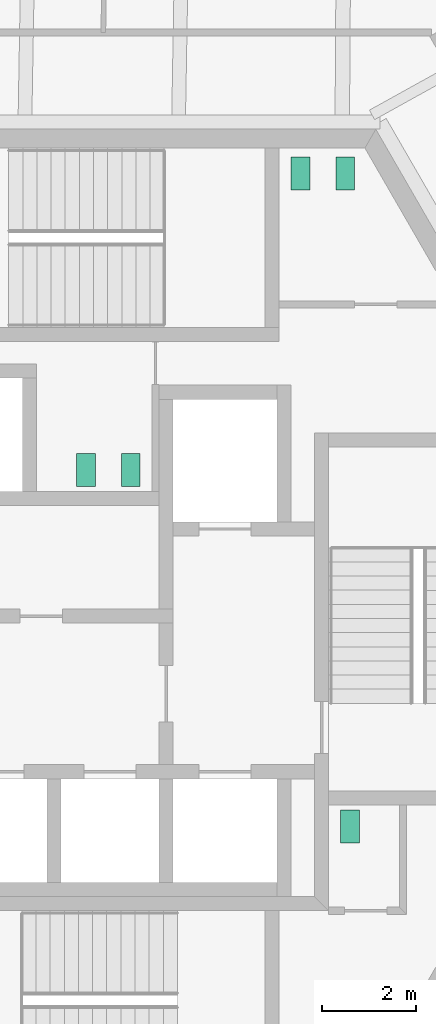
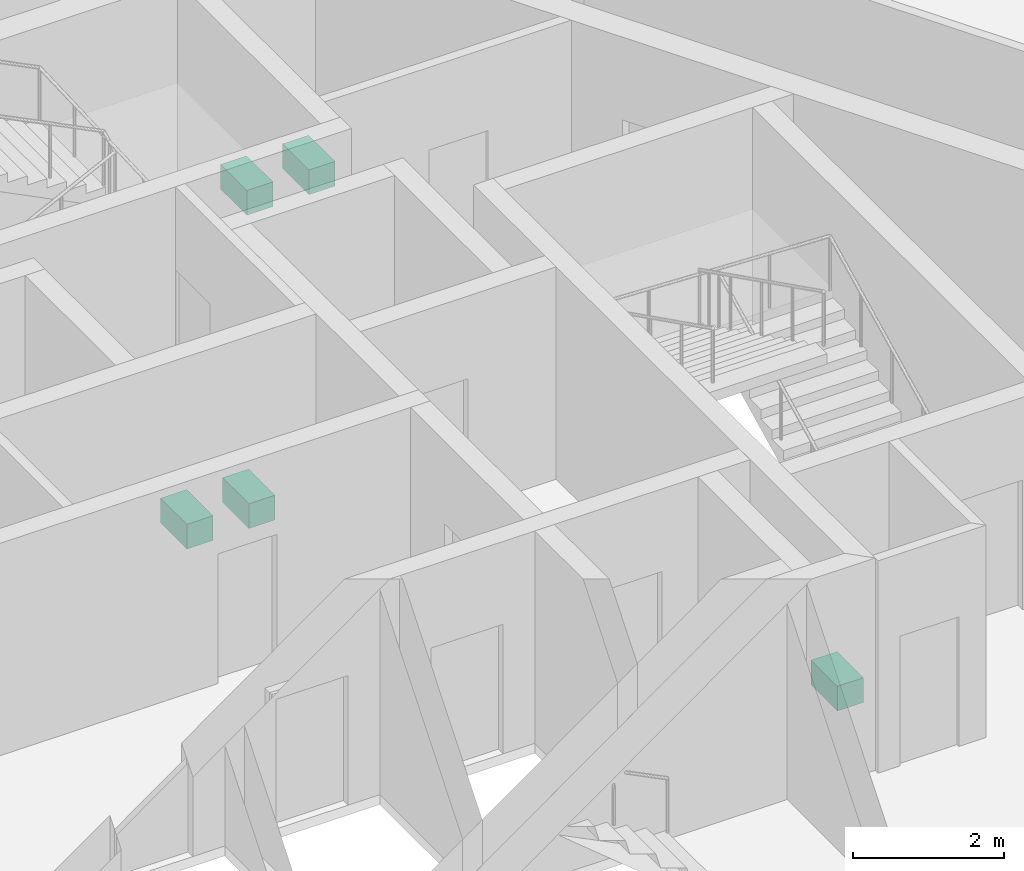
# One storey, part 18 of 20: 5 sanitary terminals.
"""IFC4 building model written with IfcOpenShell, lengths in metres."""

from ifc_helpers import new_model, si_unit, direction, frame, origin, origin_2d, place, context, subcontext, project, spatial, rectangle, extrude, source, transform, mapped, material, element, save


model = new_model("IFC4")

# Units and contexts
model_context = context("Model", 3, precision=1e-05, world=origin(), true_north=direction((0.0, 1.0)))
body_context = subcontext(model_context, "Body", "Model", "MODEL_VIEW")
ifc_project = project(units=[si_unit("LENGTHUNIT", "METRE"), si_unit("AREAUNIT", "SQUARE_METRE"), si_unit("VOLUMEUNIT", "CUBIC_METRE"), si_unit("PLANEANGLEUNIT", "RADIAN"), si_unit("MASSUNIT", "GRAM", prefix="KILO")], contexts=[model_context])

# Site, building, storey
site_placement = place(None, origin())
site = spatial("IfcSite", under=ifc_project, at=site_placement, CompositionType="ELEMENT")
building_placement = place(site_placement, origin())
building = spatial("IfcBuilding", under=site, at=building_placement, Name="Triune Harvest Tower", CompositionType="ELEMENT")
storey_placement = place(building_placement, frame((0.0, 0.0, 194.300048828125)))
storey = spatial("IfcBuildingStorey", under=building, at=storey_placement, Name="L50", CompositionType="ELEMENT", Elevation=194.300048828125)

# Sanitary terminals
ifc_material = material(Name="Vitreous china")
shared_shape = source(origin(), body_context, "Body", "SweptSolid", [
    extrude(rectangle(XDim=0.39990234375, YDim=0.699951171875, at=origin_2d()), origin(), (0.0, 0.0, 1.0), 0.39990234375),
])
for number, where, z_axis, x_axis, name in (
    (1, (4.39990234375, 9.449951171875, 0.0), (0.0, 0.0, 1.0), (1.0, 0.0, 0.0), "Toilet pan L50.c01"),
    (2, (5.35009765625, 9.449951171875, 0.0), (0.0, 0.0, 1.0), (1.0, 0.0, 0.0), "Toilet pan L50.c02"),
    (3, (0.800048828125, 3.159912109375, 0.0), (0.0, 0.0, 1.0), (-1.0, 0.0, 0.0), "Toilet pan L50.c03"),
    (4, (-0.14990234375, 3.159912109375, 0.0), (0.0, 0.0, 1.0), (-1.0, 0.0, 0.0), "Toilet pan L50.c04"),
    (5, (5.449951171875, -4.39990234375, 0.0), (0.0, 0.0, 1.0), (1.0, 0.0, 0.0), "Toilet pan L50.c05"),
):
    element("IfcSanitaryTerminal", number, at=place(storey_placement, frame(where, z_axis=z_axis, x_axis=x_axis)), inside=storey, material=ifc_material, Name=name, PredefinedType="TOILETPAN", context=body_context, shape_type="MappedRepresentation", body=[
        mapped(shared_shape, transform((0.0, 0.0, 0.0), scale=1.0)),
    ])

save(model, "model.ifc")
